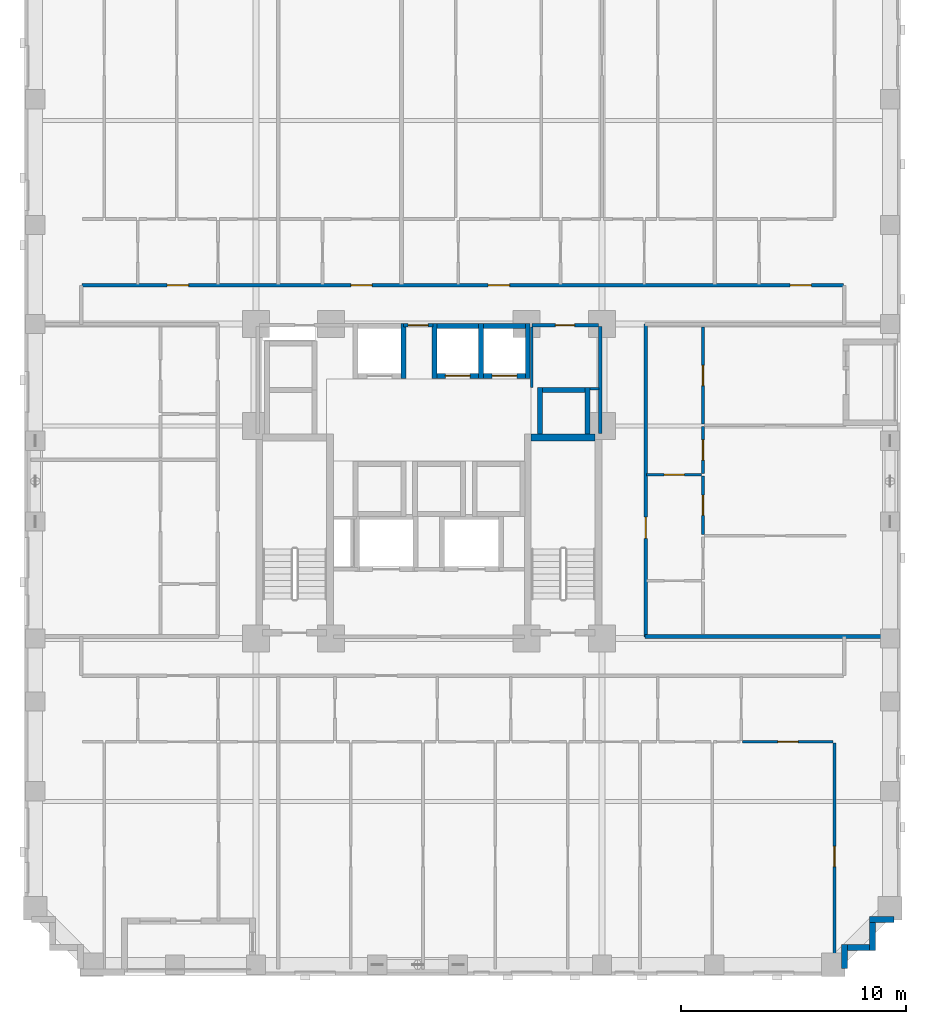
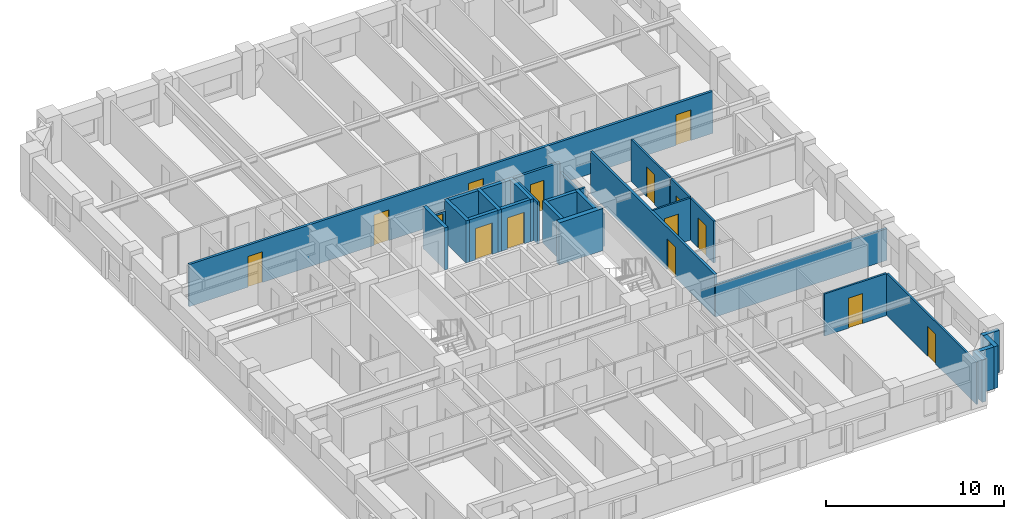
# One storey, part 6 of 14: 30 walls, 15 doors, 15 openings.
"""IFC4 building model written with IfcOpenShell, lengths in metres."""

from ifc_helpers import new_model, si_unit, derived_unit, direction, frame, frame_2d, origin, place, context, subcontext, project, spatial, rectangle, extrude, material, layer, layer_set, type_object, element, fill, save


model = new_model("IFC4")

# Units and contexts
model_context = context("Model", 3, precision=1e-05, world=origin(), true_north=direction((0.0, 1.0)))
body_context = subcontext(model_context, "Body", "Model", "MODEL_VIEW")
ifc_project = project(units=[si_unit("LENGTHUNIT", "METRE"), si_unit("AREAUNIT", "SQUARE_METRE"), si_unit("VOLUMEUNIT", "CUBIC_METRE"), si_unit("PLANEANGLEUNIT", "RADIAN"), si_unit("MASSUNIT", "GRAM", prefix="KILO"), derived_unit("THERMALTRANSMITTANCEUNIT", [(si_unit("MASSUNIT", "GRAM", prefix="KILO"), 1), (si_unit("TIMEUNIT", "SECOND"), -3), (si_unit("THERMODYNAMICTEMPERATUREUNIT", "KELVIN"), -1)])], contexts=[model_context])

# Site, building, storey
site_placement = place(None, origin())
site = spatial("IfcSite", under=ifc_project, at=site_placement, CompositionType="ELEMENT")
building_placement = place(site_placement, origin())
building = spatial("IfcBuilding", under=site, at=building_placement, Name="Korrvale Station Residences", CompositionType="ELEMENT")
storey_placement = place(building_placement, frame((0.0, 0.0, 67.39990234375)))
storey = spatial("IfcBuildingStorey", under=building, at=storey_placement, Name="L18", CompositionType="ELEMENT", Elevation=67.39990234375)

# Walls
ifc_material_1 = material(Name="Concrete C70/85", Category="concrete")
ifc_layer_1 = layer(ifc_material_1, 0.300048828125, Name="Concrete C70/85")
ifc_layer_set_1 = layer_set([ifc_layer_1], Name="Concrete C70/85")
wall_type_1 = type_object("IfcWallType", Name="WAL-CORE-300-C70", PredefinedType="SHEAR", material=ifc_layer_set_1)
wall_1_placement = place(storey_placement, frame((30.050048828125, 23.949951171875, 0.0), z_axis=(0.0, 0.0, 1.0), x_axis=(1.0, 0.0, 0.0)))
element("IfcWall", 1, at=wall_1_placement, inside=storey, type_object=wall_type_1, Name="L18 ST-2 Core Shear Wall North", PredefinedType="SHEAR", context=body_context, shape_type="SweptSolid", body=[
    extrude(rectangle(XDim=2.849853515625, YDim=0.300048828125, at=frame_2d((1.4248046875, 0.0))), origin(), (0.0, 0.0, 1.0), 2.880126953125),
])
ifc_material_2 = material(Name="Precast concrete C45/55", Category="concrete")
ifc_layer_2 = layer(ifc_material_2, 0.260009765625, Name="Precast concrete C45/55")
ifc_layer_set_2 = layer_set([ifc_layer_2], Name="Precast concrete C45/55")
wall_type_2 = type_object("IfcWallType", Name="WAL-EXT-LOG260", PredefinedType="SOLIDWALL", material=ifc_layer_set_2)
wall_2_placement = place(storey_placement, frame((46.197998046875, 2.5, 0.0), z_axis=(0.0, 0.0, 1.0), x_axis=(-1.0, 0.0, 0.0)))
element("IfcWall", 2, at=wall_2_placement, inside=storey, type_object=wall_type_2, Name="L18 Serrated Corner Precast Step SE-1", PredefinedType="SOLIDWALL", context=body_context, shape_type="SweptSolid", body=[
    extrude(rectangle(XDim=1.077880859375, YDim=0.260009765625, at=frame_2d((0.5390625, 0.0))), origin(), (0.0, 0.0, 1.0), 2.880126953125),
])
wall_3_placement = place(storey_placement, frame((45.25, 2.367919921875, 0.0), z_axis=(0.0, 0.0, 1.0), x_axis=(0.0, -1.0, 0.0)))
element("IfcWall", 3, at=wall_3_placement, inside=storey, type_object=wall_type_2, Name="L18 Serrated Corner Precast Step SE-2", PredefinedType="SOLIDWALL", context=body_context, shape_type="SweptSolid", body=[
    extrude(rectangle(XDim=1.247802734375, YDim=0.260009765625, at=frame_2d((0.6240234375, 0.0))), origin(), (0.0, 0.0, 1.0), 2.880126953125),
])
wall_4_placement = place(storey_placement, frame((45.117919921875, 1.25, 0.0), z_axis=(0.0, 0.0, 1.0), x_axis=(-1.0, 0.0, 0.0)))
element("IfcWall", 4, at=wall_4_placement, inside=storey, type_object=wall_type_2, Name="L18 Serrated Corner Precast Step SE-3", PredefinedType="SOLIDWALL", context=body_context, shape_type="SweptSolid", body=[
    extrude(rectangle(XDim=0.98583984375, YDim=0.260009765625, at=frame_2d((0.492919921875, 0.0))), origin(), (0.0, 0.0, 1.0), 2.880126953125),
])
wall_5_placement = place(storey_placement, frame((44.0, 1.3798828125, 0.0), z_axis=(0.0, 0.0, 1.0), x_axis=(0.0, -1.0, 0.0)))
element("IfcWall", 5, at=wall_5_placement, inside=storey, type_object=wall_type_2, Name="L18 Serrated Corner Precast Step SE-4", PredefinedType="SOLIDWALL", context=body_context, shape_type="SweptSolid", body=[
    extrude(rectangle(XDim=1.077880859375, YDim=0.260009765625, at=frame_2d((0.5390625, 0.0))), origin(), (0.0, 0.0, 1.0), 2.880126953125),
])
ifc_material_3 = material(Name="Acoustic steel-stud gypsum board partition", Category="steel")
ifc_layer_3 = layer(ifc_material_3, 0.1201171875, Name="Acoustic steel-stud gypsum board partition")
ifc_layer_set_3 = layer_set([ifc_layer_3], Name="Acoustic steel-stud gypsum board partition")
wall_type_3 = type_object("IfcWallType", Name="WAL-PART-125", PredefinedType="PARTITIONING", material=ifc_layer_set_3)
wall_6_placement = place(storey_placement, frame((30.080078125, 26.179931640625, 0.0), z_axis=(0.0, 0.0, 1.0), x_axis=(0.0, 1.0, 0.0)))
element("IfcWall", 6, at=wall_6_placement, inside=storey, type_object=wall_type_3, Name="L18 Core Partition CW-CS-W", PredefinedType="PARTITIONING", context=body_context, shape_type="SweptSolid", body=[
    extrude(rectangle(XDim=2.68017578125, YDim=0.1201171875, at=frame_2d((1.340087890625, 0.0))), origin(), (0.0, 0.0, 1.0), 2.880126953125),
])
wall_7_placement = place(storey_placement, frame((32.679931640625, 26.1201171875, 0.0), z_axis=(0.0, 0.0, 1.0), x_axis=(1.0, 0.0, 0.0)))
element("IfcWall", 7, at=wall_7_placement, inside=storey, type_object=wall_type_3, Name="L18 Core Partition CW-CS-S", PredefinedType="PARTITIONING", context=body_context, shape_type="SweptSolid", body=[
    extrude(rectangle(XDim=0.380126953125, YDim=0.1201171875, at=frame_2d((0.18994140625, 0.0))), origin(), (0.0, 0.0, 1.0), 2.880126953125),
])

# Wall, opening, door
wall_8_placement = place(storey_placement, frame((39.466064453125, 10.39990234375, 0.0), z_axis=(0.0, 0.0, 1.0), x_axis=(1.0, 0.0, 0.0)))
wall_8 = element("IfcWall", 8, at=wall_8_placement, inside=storey, type_object=wall_type_3, Name="L18 Suite Partition U02-H613", PredefinedType="PARTITIONING", context=body_context, shape_type="SweptSolid", body=[
    extrude(rectangle(XDim=4.02392578125, YDim=0.1201171875, at=frame_2d((2.011962890625, 0.0))), origin(), (0.0, 0.0, 1.0), 2.880126953125),
])
opening_1_placement = place(wall_8_placement, frame((1.56201171875, 0.0, 0.0)))
opening_1 = element("IfcOpeningElement", 9, at=opening_1_placement, cuts=wall_8, Name="Opening DI-900", PredefinedType="OPENING", context=body_context, shape_type="SweptSolid", body=[
    extrude(rectangle(XDim=0.89990234375, YDim=2.050048828125, at=frame_2d((0.449951171875, 1.02490234375))), frame((0.0, 0.070068359375, 0.0), z_axis=(0.0, -1.0, 0.0), x_axis=(1.0, 0.0, 0.0)), (0.0, 0.0, 1.0), 0.14013671875),
])
ifc_material_4 = material(Name="Painted solid-core timber interior room door", Category="wood")
door_type_1 = type_object("IfcDoorType", Name="DR-INT-900", OperationType="NOTDEFINED", PredefinedType="DOOR", material=ifc_material_4)
door_1_placement = place(opening_1_placement, origin())
door_1 = element("IfcDoor", 10, at=door_1_placement, inside=storey, type_object=door_type_1, Name="L18 Studio Apartment L18-U02 Storage Closet 3 Door", OperationType="SINGLE_SWING_LEFT", OverallHeight=2.050048828125, OverallWidth=0.89990234375, PredefinedType="DOOR", context=body_context, shape_type="SweptSolid", body=[
    extrude(rectangle(XDim=0.89990234375, YDim=2.050048828125, at=frame_2d((0.449951171875, 1.02490234375))), frame((0.0, 0.02490234375, 0.0), z_axis=(0.0, -1.0, 0.0), x_axis=(1.0, 0.0, 0.0)), (0.0, 0.0, 1.0), 0.050048828125),
])
fill(opening_1, door_1)

wall_9_placement = place(storey_placement, frame((43.550048828125, 0.280029296875, 0.0), z_axis=(0.0, 0.0, 1.0), x_axis=(0.0, 1.0, 0.0)))
wall_9 = element("IfcWall", 11, at=wall_9_placement, inside=storey, type_object=wall_type_3, Name="L18 Suite Partition U02-V1314", PredefinedType="PARTITIONING", context=body_context, shape_type="SweptSolid", body=[
    extrude(rectangle(XDim=10.06005859375, YDim=0.1201171875, at=frame_2d((5.030029296875, 0.0))), origin(), (0.0, 0.0, 1.0), 2.880126953125),
])
opening_2_placement = place(wall_9_placement, frame((4.56494140625, 0.0, 0.0)))
opening_2 = element("IfcOpeningElement", 12, at=opening_2_placement, cuts=wall_9, Name="Opening DI-900", PredefinedType="OPENING", context=body_context, shape_type="SweptSolid", body=[
    extrude(rectangle(XDim=0.89990234375, YDim=2.050048828125, at=frame_2d((0.449951171875, 1.02490234375))), frame((0.0, 0.070068359375, 0.0), z_axis=(0.0, -1.0, 0.0), x_axis=(1.0, 0.0, 0.0)), (0.0, 0.0, 1.0), 0.14013671875),
])
door_2_placement = place(opening_2_placement, origin())
door_2 = element("IfcDoor", 13, at=door_2_placement, inside=storey, type_object=door_type_1, Name="L18 Studio Apartment L18-U02 Studio Living Room Door", OperationType="SINGLE_SWING_RIGHT", OverallHeight=2.050048828125, OverallWidth=0.89990234375, PredefinedType="DOOR", context=body_context, shape_type="SweptSolid", body=[
    extrude(rectangle(XDim=0.89990234375, YDim=2.050048828125, at=frame_2d((0.449951171875, 1.02490234375))), frame((0.0, 0.02490234375, 0.0), z_axis=(0.0, -1.0, 0.0), x_axis=(1.0, 0.0, 0.0)), (0.0, 0.0, 1.0), 0.050048828125),
])
fill(opening_2, door_2)

wall_10_placement = place(storey_placement, frame((35.18994140625, 22.2900390625, 0.0), z_axis=(0.0, 0.0, 1.0), x_axis=(1.0, 0.0, 0.0)))
wall_10 = element("IfcWall", 14, at=wall_10_placement, inside=storey, type_object=wall_type_3, Name="L18 Suite Partition U09-H02", PredefinedType="PARTITIONING", context=body_context, shape_type="SweptSolid", body=[
    extrude(rectangle(XDim=2.449951171875, YDim=0.1201171875, at=frame_2d((1.22509765625, 0.0))), origin(), (0.0, 0.0, 1.0), 2.880126953125),
])
opening_3_placement = place(wall_10_placement, frame((0.77490234375, 0.0, 0.0)))
opening_3 = element("IfcOpeningElement", 15, at=opening_3_placement, cuts=wall_10, Name="Opening DI-900", PredefinedType="OPENING", context=body_context, shape_type="SweptSolid", body=[
    extrude(rectangle(XDim=0.89990234375, YDim=2.050048828125, at=frame_2d((0.449951171875, 1.02490234375))), frame((0.0, 0.070068359375, 0.0), z_axis=(0.0, -1.0, 0.0), x_axis=(1.0, 0.0, 0.0)), (0.0, 0.0, 1.0), 0.14013671875),
])
door_3_placement = place(opening_3_placement, origin())
door_3 = element("IfcDoor", 16, at=door_3_placement, inside=storey, type_object=door_type_1, Name="L18 Apartment 2BR L18-U09 Wardrobe Storage Room Door", OperationType="SINGLE_SWING_RIGHT", OverallHeight=2.050048828125, OverallWidth=0.89990234375, PredefinedType="DOOR", context=body_context, shape_type="SweptSolid", body=[
    extrude(rectangle(XDim=0.89990234375, YDim=2.050048828125, at=frame_2d((0.449951171875, 1.02490234375))), frame((0.0, 0.02490234375, 0.0), z_axis=(0.0, -1.0, 0.0), x_axis=(1.0, 0.0, 0.0)), (0.0, 0.0, 1.0), 0.050048828125),
])
fill(opening_3, door_3)

wall_11_placement = place(storey_placement, frame((37.699951171875, 22.35009765625, 0.0), z_axis=(0.0, 0.0, 1.0), x_axis=(0.0, 1.0, 0.0)))
wall_11 = element("IfcWall", 17, at=wall_11_placement, inside=storey, type_object=wall_type_3, Name="L18 Suite Partition U09-V04", PredefinedType="PARTITIONING", context=body_context, shape_type="SweptSolid", body=[
    extrude(rectangle(XDim=2.081787109375, YDim=0.1201171875, at=frame_2d((1.041015625, 0.0))), origin(), (0.0, 0.0, 1.0), 2.880126953125),
])
opening_4_placement = place(wall_11_placement, frame((0.591064453125, 0.0, 0.0)))
opening_4 = element("IfcOpeningElement", 18, at=opening_4_placement, cuts=wall_11, Name="Opening DI-900", PredefinedType="OPENING", context=body_context, shape_type="SweptSolid", body=[
    extrude(rectangle(XDim=0.89990234375, YDim=2.050048828125, at=frame_2d((0.449951171875, 1.02490234375))), frame((0.0, 0.070068359375, 0.0), z_axis=(0.0, -1.0, 0.0), x_axis=(1.0, 0.0, 0.0)), (0.0, 0.0, 1.0), 0.14013671875),
])
door_4_placement = place(opening_4_placement, origin())
door_4 = element("IfcDoor", 19, at=door_4_placement, inside=storey, type_object=door_type_1, Name="L18 Apartment 2BR L18-U09 Wardrobe Storage Room Door", OperationType="SINGLE_SWING_LEFT", OverallHeight=2.050048828125, OverallWidth=0.89990234375, PredefinedType="DOOR", context=body_context, shape_type="SweptSolid", body=[
    extrude(rectangle(XDim=0.89990234375, YDim=2.050048828125, at=frame_2d((0.449951171875, 1.02490234375))), frame((0.0, 0.02490234375, 0.0), z_axis=(0.0, -1.0, 0.0), x_axis=(1.0, 0.0, 0.0)), (0.0, 0.0, 1.0), 0.050048828125),
])
fill(opening_4, door_4)

wall_12_placement = place(storey_placement, frame((37.699951171875, 24.552001953125, 0.0), z_axis=(0.0, 0.0, 1.0), x_axis=(0.0, 1.0, 0.0)))
wall_12 = element("IfcWall", 20, at=wall_12_placement, inside=storey, type_object=wall_type_3, Name="L18 Suite Partition U09-V05", PredefinedType="PARTITIONING", context=body_context, shape_type="SweptSolid", body=[
    extrude(rectangle(XDim=4.30810546875, YDim=0.1201171875, at=frame_2d((2.154052734375, 0.0))), origin(), (0.0, 0.0, 1.0), 2.880126953125),
])
opening_5_placement = place(wall_12_placement, frame((1.7041015625, 0.0, 0.0)))
opening_5 = element("IfcOpeningElement", 21, at=opening_5_placement, cuts=wall_12, Name="Opening DI-900", PredefinedType="OPENING", context=body_context, shape_type="SweptSolid", body=[
    extrude(rectangle(XDim=0.89990234375, YDim=2.050048828125, at=frame_2d((0.449951171875, 1.02490234375))), frame((0.0, 0.070068359375, 0.0), z_axis=(0.0, -1.0, 0.0), x_axis=(1.0, 0.0, 0.0)), (0.0, 0.0, 1.0), 0.14013671875),
])
door_5_placement = place(opening_5_placement, origin())
door_5 = element("IfcDoor", 22, at=door_5_placement, inside=storey, type_object=door_type_1, Name="L18 Apartment 2BR L18-U09 Wardrobe Storage Room Door", OperationType="SINGLE_SWING_RIGHT", OverallHeight=2.050048828125, OverallWidth=0.89990234375, PredefinedType="DOOR", context=body_context, shape_type="SweptSolid", body=[
    extrude(rectangle(XDim=0.89990234375, YDim=2.050048828125, at=frame_2d((0.449951171875, 1.02490234375))), frame((0.0, 0.02490234375, 0.0), z_axis=(0.0, -1.0, 0.0), x_axis=(1.0, 0.0, 0.0)), (0.0, 0.0, 1.0), 0.050048828125),
])
fill(opening_5, door_5)

wall_13_placement = place(storey_placement, frame((37.699951171875, 19.637939453125, 0.0), z_axis=(0.0, 0.0, 1.0), x_axis=(0.0, 1.0, 0.0)))
wall_13 = element("IfcWall", 23, at=wall_13_placement, inside=storey, type_object=wall_type_3, Name="L18 Suite Partition U09-V24", PredefinedType="PARTITIONING", context=body_context, shape_type="SweptSolid", body=[
    extrude(rectangle(XDim=2.592041015625, YDim=0.1201171875, at=frame_2d((1.2958984375, 0.0))), origin(), (0.0, 0.0, 1.0), 2.880126953125),
])
opening_6_placement = place(wall_13_placement, frame((0.845947265625, 0.0, 0.0)))
opening_6 = element("IfcOpeningElement", 24, at=opening_6_placement, cuts=wall_13, Name="Opening DI-900", PredefinedType="OPENING", context=body_context, shape_type="SweptSolid", body=[
    extrude(rectangle(XDim=0.89990234375, YDim=2.050048828125, at=frame_2d((0.449951171875, 1.02490234375))), frame((0.0, 0.070068359375, 0.0), z_axis=(0.0, -1.0, 0.0), x_axis=(1.0, 0.0, 0.0)), (0.0, 0.0, 1.0), 0.14013671875),
])
door_6_placement = place(opening_6_placement, origin())
door_6 = element("IfcDoor", 25, at=door_6_placement, inside=storey, type_object=door_type_1, Name="L18 Apartment 2BR L18-U09 Kitchen Door", OperationType="SINGLE_SWING_LEFT", OverallHeight=2.050048828125, OverallWidth=0.89990234375, PredefinedType="DOOR", context=body_context, shape_type="SweptSolid", body=[
    extrude(rectangle(XDim=0.89990234375, YDim=2.050048828125, at=frame_2d((0.449951171875, 1.02490234375))), frame((0.0, 0.02490234375, 0.0), z_axis=(0.0, -1.0, 0.0), x_axis=(1.0, 0.0, 0.0)), (0.0, 0.0, 1.0), 0.050048828125),
])
fill(opening_6, door_6)

# Wall
ifc_material_5 = material(Name="Fire-rated twin-stud gypsum and mineral wool shaftwall assembly", Category="gypsum")
ifc_layer_4 = layer(ifc_material_5, 0.159912109375, Name="Fire-rated twin-stud gypsum and mineral wool shaftwall assembly")
ifc_layer_set_4 = layer_set([ifc_layer_4], Name="Fire-rated twin-stud gypsum and mineral wool shaftwall assembly")
wall_type_4 = type_object("IfcWallType", Name="WAL-PART-200", PredefinedType="PARTITIONING", material=ifc_layer_set_4)
wall_14_placement = place(storey_placement, frame((33.1201171875, 24.1201171875, 0.0), z_axis=(0.0, 0.0, 1.0), x_axis=(0.0, 1.0, 0.0)))
element("IfcWall", 26, at=wall_14_placement, inside=storey, type_object=wall_type_4, Name="L18 Core Partition CW-E-N", PredefinedType="PARTITIONING", context=body_context, shape_type="SweptSolid", body=[
    extrude(rectangle(XDim=4.759765625, YDim=0.159912109375, at=frame_2d((2.3798828125, 0.0))), origin(), (0.0, 0.0, 1.0), 2.215087890625),
])

# Wall, opening, door
wall_15_placement = place(storey_placement, frame((24.360107421875, 28.949951171875, 0.0), z_axis=(0.0, 0.0, 1.0), x_axis=(1.0, 0.0, 0.0)))
wall_15 = element("IfcWall", 27, at=wall_15_placement, inside=storey, type_object=wall_type_4, Name="L18 Core Partition CW-LLOB-N", PredefinedType="PARTITIONING", context=body_context, shape_type="SweptSolid", body=[
    extrude(rectangle(XDim=1.31982421875, YDim=0.159912109375, at=frame_2d((0.659912109375, 0.0))), origin(), (0.0, 0.0, 1.0), 2.172119140625),
])
opening_7_placement = place(wall_15_placement, frame((0.2099609375, 0.0, 0.0)))
opening_7 = element("IfcOpeningElement", 28, at=opening_7_placement, cuts=wall_15, Name="Opening DI-900", PredefinedType="OPENING", context=body_context, shape_type="SweptSolid", body=[
    extrude(rectangle(XDim=0.89990234375, YDim=2.050048828125, at=frame_2d((0.449951171875, 1.02490234375))), frame((0.0, 0.08984375, 0.0), z_axis=(0.0, -1.0, 0.0), x_axis=(1.0, 0.0, 0.0)), (0.0, 0.0, 1.0), 0.179931640625),
])
door_7_placement = place(opening_7_placement, origin())
door_7 = element("IfcDoor", 29, at=door_7_placement, inside=storey, type_object=door_type_1, Name="L18 Central Hallway North Passage Door", OperationType="SINGLE_SWING_RIGHT", OverallHeight=2.050048828125, OverallWidth=0.89990234375, PredefinedType="DOOR", context=body_context, shape_type="SweptSolid", body=[
    extrude(rectangle(XDim=0.89990234375, YDim=2.050048828125, at=frame_2d((0.449951171875, 1.02490234375))), frame((0.0, 0.02490234375, 0.0), z_axis=(0.0, -1.0, 0.0), x_axis=(1.0, 0.0, 0.0)), (0.0, 0.0, 1.0), 0.050048828125),
])
fill(opening_7, door_7)

wall_16_placement = place(storey_placement, frame((30.080078125, 28.949951171875, 0.0), z_axis=(0.0, 0.0, 1.0), x_axis=(1.0, 0.0, 0.0)))
wall_16 = element("IfcWall", 30, at=wall_16_placement, inside=storey, type_object=wall_type_4, Name="L18 Core Partition CW-CS-N", PredefinedType="PARTITIONING", context=body_context, shape_type="SweptSolid", body=[
    extrude(rectangle(XDim=2.9599609375, YDim=0.159912109375, at=frame_2d((1.47998046875, 0.0))), origin(), (0.0, 0.0, 1.0), 2.880126953125),
])
opening_8_placement = place(wall_16_placement, frame((1.044921875, 0.0, 0.0)))
opening_8 = element("IfcOpeningElement", 31, at=opening_8_placement, cuts=wall_16, Name="Opening DB-860", PredefinedType="OPENING", context=body_context, shape_type="SweptSolid", body=[
    extrude(rectangle(XDim=0.860107421875, YDim=2.050048828125, at=frame_2d((0.43017578125, 1.02490234375))), frame((0.0, 0.08984375, 0.0), z_axis=(0.0, -1.0, 0.0), x_axis=(1.0, 0.0, 0.0)), (0.0, 0.0, 1.0), 0.179931640625),
])
ifc_material_6 = material(Name="Moisture-resistant solid-core bathroom door", Category="timber")
door_type_2 = type_object("IfcDoorType", Name="DR-BATH-860", OperationType="NOTDEFINED", PredefinedType="DOOR", material=ifc_material_6)
door_8_placement = place(opening_8_placement, origin())
door_8 = element("IfcDoor", 32, at=door_8_placement, inside=storey, type_object=door_type_2, Name="L18 Parcel Room Door", OperationType="SINGLE_SWING_RIGHT", OverallHeight=2.050048828125, OverallWidth=0.860107421875, PredefinedType="DOOR", context=body_context, shape_type="SweptSolid", body=[
    extrude(rectangle(XDim=0.860107421875, YDim=2.050048828125, at=frame_2d((0.43017578125, 1.02490234375))), frame((0.0, 0.02490234375, 0.0), z_axis=(0.0, -1.0, 0.0), x_axis=(1.0, 0.0, 0.0)), (0.0, 0.0, 1.0), 0.050048828125),
])
fill(opening_8, door_8)

# Wall
wall_17_placement = place(storey_placement, frame((35.110107421875, 15.090087890625, 0.0), z_axis=(0.0, 0.0, 1.0), x_axis=(1.0, 0.0, 0.0)))
element("IfcWall", 33, at=wall_17_placement, inside=storey, type_object=wall_type_4, Name="L18 East Wing South Corridor Wall", PredefinedType="PARTITIONING", context=body_context, shape_type="SweptSolid", body=[
    extrude(rectangle(XDim=11.10986328125, YDim=0.159912109375, at=frame_2d((5.554931640625, 0.0))), origin(), (0.0, 0.0, 1.0), 2.172119140625),
])

# Wall, openings, doors
wall_18_placement = place(storey_placement, frame((10.050048828125, 30.719970703125, 0.0), z_axis=(0.0, 0.0, 1.0), x_axis=(1.0, 0.0, 0.0)))
wall_18 = element("IfcWall", 34, at=wall_18_placement, inside=storey, type_object=wall_type_4, Name="L18 Rated Corridor Wall N", PredefinedType="PARTITIONING", context=body_context, shape_type="SweptSolid", body=[
    extrude(rectangle(XDim=33.89990234375, YDim=0.159912109375, at=frame_2d((16.949951171875, 0.0))), origin(), (0.0, 0.0, 1.0), 2.880126953125),
])
opening_9_placement = place(wall_18_placement, frame((3.800048828125, 0.0, 0.0)))
opening_9 = element("IfcOpeningElement", 35, at=opening_9_placement, cuts=wall_18, Name="Opening UD-950", PredefinedType="OPENING", context=body_context, shape_type="SweptSolid", body=[
    extrude(rectangle(XDim=0.949951171875, YDim=2.10009765625, at=frame_2d((0.47509765625, 1.050048828125))), frame((0.0, 0.08984375, 0.0), z_axis=(0.0, -1.0, 0.0), x_axis=(1.0, 0.0, 0.0)), (0.0, 0.0, 1.0), 0.179931640625),
])
opening_10_placement = place(wall_18_placement, frame((11.97705078125, 0.0, 0.0)))
opening_10 = element("IfcOpeningElement", 36, at=opening_10_placement, cuts=wall_18, Name="Opening UD-950", PredefinedType="OPENING", context=body_context, shape_type="SweptSolid", body=[
    extrude(rectangle(XDim=0.949951171875, YDim=2.10009765625, at=frame_2d((0.47509765625, 1.050048828125))), frame((0.0, 0.08984375, 0.0), z_axis=(0.0, -1.0, 0.0), x_axis=(1.0, 0.0, 0.0)), (0.0, 0.0, 1.0), 0.179931640625),
])
opening_11_placement = place(wall_18_placement, frame((18.090087890625, 0.0, 0.0)))
opening_11 = element("IfcOpeningElement", 37, at=opening_11_placement, cuts=wall_18, Name="Opening UD-950", PredefinedType="OPENING", context=body_context, shape_type="SweptSolid", body=[
    extrude(rectangle(XDim=0.949951171875, YDim=2.10009765625, at=frame_2d((0.47509765625, 1.050048828125))), frame((0.0, 0.08984375, 0.0), z_axis=(0.0, -1.0, 0.0), x_axis=(1.0, 0.0, 0.0)), (0.0, 0.0, 1.0), 0.179931640625),
])
opening_12_placement = place(wall_18_placement, frame((31.52490234375, 0.0, 0.0)))
opening_12 = element("IfcOpeningElement", 38, at=opening_12_placement, cuts=wall_18, Name="Opening UD-950", PredefinedType="OPENING", context=body_context, shape_type="SweptSolid", body=[
    extrude(rectangle(XDim=0.949951171875, YDim=2.10009765625, at=frame_2d((0.47509765625, 1.050048828125))), frame((0.0, 0.08984375, 0.0), z_axis=(0.0, -1.0, 0.0), x_axis=(1.0, 0.0, 0.0)), (0.0, 0.0, 1.0), 0.179931640625),
])
ifc_material_7 = material(Name="Solid-core acoustic oak apartment entrance door", Category="timber")
door_type_3 = type_object("IfcDoorType", Name="DR-UNIT-950", OperationType="NOTDEFINED", PredefinedType="DOOR", material=ifc_material_7)
door_9_placement = place(opening_9_placement, origin())
door_9 = element("IfcDoor", 39, at=door_9_placement, inside=storey, type_object=door_type_3, Name="L18 Apartment L18-U03 Entrance Door", OperationType="SINGLE_SWING_RIGHT", OverallHeight=2.10009765625, OverallWidth=0.949951171875, PredefinedType="DOOR", context=body_context, shape_type="SweptSolid", body=[
    extrude(rectangle(XDim=0.949951171875, YDim=2.10009765625, at=frame_2d((0.47509765625, 1.050048828125))), frame((0.0, 0.02490234375, 0.0), z_axis=(0.0, -1.0, 0.0), x_axis=(1.0, 0.0, 0.0)), (0.0, 0.0, 1.0), 0.050048828125),
])
fill(opening_9, door_9)
door_10_placement = place(opening_10_placement, origin())
door_10 = element("IfcDoor", 40, at=door_10_placement, inside=storey, type_object=door_type_3, Name="L18 Apartment L18-U04 Entrance Door", OperationType="SINGLE_SWING_LEFT", OverallHeight=2.10009765625, OverallWidth=0.949951171875, PredefinedType="DOOR", context=body_context, shape_type="SweptSolid", body=[
    extrude(rectangle(XDim=0.949951171875, YDim=2.10009765625, at=frame_2d((0.47509765625, 1.050048828125))), frame((0.0, 0.02490234375, 0.0), z_axis=(0.0, -1.0, 0.0), x_axis=(1.0, 0.0, 0.0)), (0.0, 0.0, 1.0), 0.050048828125),
])
fill(opening_10, door_10)
door_11_placement = place(opening_11_placement, origin())
door_11 = element("IfcDoor", 41, at=door_11_placement, inside=storey, type_object=door_type_3, Name="L18 Apartment L18-U05 Entrance Door", OperationType="SINGLE_SWING_RIGHT", OverallHeight=2.10009765625, OverallWidth=0.949951171875, PredefinedType="DOOR", context=body_context, shape_type="SweptSolid", body=[
    extrude(rectangle(XDim=0.949951171875, YDim=2.10009765625, at=frame_2d((0.47509765625, 1.050048828125))), frame((0.0, 0.02490234375, 0.0), z_axis=(0.0, -1.0, 0.0), x_axis=(1.0, 0.0, 0.0)), (0.0, 0.0, 1.0), 0.050048828125),
])
fill(opening_11, door_11)
door_12_placement = place(opening_12_placement, origin())
door_12 = element("IfcDoor", 42, at=door_12_placement, inside=storey, type_object=door_type_3, Name="L18 Apartment L18-U06 Entrance Door", OperationType="SINGLE_SWING_LEFT", OverallHeight=2.10009765625, OverallWidth=0.949951171875, PredefinedType="DOOR", context=body_context, shape_type="SweptSolid", body=[
    extrude(rectangle(XDim=0.949951171875, YDim=2.10009765625, at=frame_2d((0.47509765625, 1.050048828125))), frame((0.0, 0.02490234375, 0.0), z_axis=(0.0, -1.0, 0.0), x_axis=(1.0, 0.0, 0.0)), (0.0, 0.0, 1.0), 0.050048828125),
])
fill(opening_12, door_12)

# Wall, opening, door
wall_19_placement = place(storey_placement, frame((35.14990234375, 15.070068359375, 0.0), z_axis=(0.0, 0.0, 1.0), x_axis=(0.0, 1.0, 0.0)))
wall_19 = element("IfcWall", 43, at=wall_19_placement, inside=storey, type_object=wall_type_4, Name="L18 Rated Corridor Wall E", PredefinedType="PARTITIONING", context=body_context, shape_type="SweptSolid", body=[
    extrude(rectangle(XDim=13.929931640625, YDim=0.159912109375, at=frame_2d((6.96484375, 0.0))), origin(), (0.0, 0.0, 1.0), 2.880126953125),
])
opening_13_placement = place(wall_19_placement, frame((4.385009765625, 0.0, 0.0)))
opening_13 = element("IfcOpeningElement", 44, at=opening_13_placement, cuts=wall_19, Name="Opening UD-950", PredefinedType="OPENING", context=body_context, shape_type="SweptSolid", body=[
    extrude(rectangle(XDim=0.949951171875, YDim=2.10009765625, at=frame_2d((0.47509765625, 1.050048828125))), frame((0.0, 0.08984375, 0.0), z_axis=(0.0, -1.0, 0.0), x_axis=(1.0, 0.0, 0.0)), (0.0, 0.0, 1.0), 0.179931640625),
])
door_13_placement = place(opening_13_placement, origin())
door_13 = element("IfcDoor", 45, at=door_13_placement, inside=storey, type_object=door_type_3, Name="L18 Apartment L18-U09 Entrance Door", OperationType="SINGLE_SWING_RIGHT", OverallHeight=2.10009765625, OverallWidth=0.949951171875, PredefinedType="DOOR", context=body_context, shape_type="SweptSolid", body=[
    extrude(rectangle(XDim=0.949951171875, YDim=2.10009765625, at=frame_2d((0.47509765625, 1.050048828125))), frame((0.0, 0.02490234375, 0.0), z_axis=(0.0, -1.0, 0.0), x_axis=(1.0, 0.0, 0.0)), (0.0, 0.0, 1.0), 0.050048828125),
])
fill(opening_13, door_13)

# Wall
ifc_layer_5 = layer(ifc_material_1, 0.219970703125, Name="Concrete C70/85")
ifc_layer_set_5 = layer_set([ifc_layer_5], Name="Concrete C70/85")
wall_type_5 = type_object("IfcWallType", Name="WAL-SHAFT-220-C70", PredefinedType="SHEAR", material=ifc_layer_set_5)
wall_20_placement = place(storey_placement, frame((24.360107421875, 26.580078125, 0.0), z_axis=(0.0, 0.0, 1.0), x_axis=(0.0, 1.0, 0.0)))
element("IfcWall", 46, at=wall_20_placement, inside=storey, type_object=wall_type_5, Name="L18 Elevator PL-1 Hoistway Wall East", PredefinedType="SHEAR", context=body_context, shape_type="SweptSolid", body=[
    extrude(rectangle(XDim=2.43994140625, YDim=0.219970703125, at=frame_2d((1.219970703125, 0.0))), origin(), (0.0, 0.0, 1.0), 2.880126953125),
])

# Wall, opening, door
wall_21_placement = place(storey_placement, frame((25.85009765625, 26.68994140625, 0.0), z_axis=(0.0, 0.0, 1.0), x_axis=(1.0, 0.0, 0.0)))
wall_21 = element("IfcWall", 47, at=wall_21_placement, inside=storey, type_object=wall_type_5, Name="L18 Elevator PL-2 Hoistway Wall South", PredefinedType="SHEAR", context=body_context, shape_type="SweptSolid", body=[
    extrude(rectangle(XDim=1.85986328125, YDim=0.219970703125, at=frame_2d((0.929931640625, 0.0))), origin(), (0.0, 0.0, 1.0), 2.880126953125),
])
opening_14_placement = place(wall_21_placement, frame((0.3798828125, 0.0, 0.0)))
opening_14 = element("IfcOpeningElement", 48, at=opening_14_placement, cuts=wall_21, Name="Opening LD-1100", PredefinedType="OPENING", context=body_context, shape_type="SweptSolid", body=[
    extrude(rectangle(XDim=1.10009765625, YDim=2.14990234375, at=frame_2d((0.550048828125, 1.074951171875))), frame((0.0, 0.1201171875, 0.0), z_axis=(0.0, -1.0, 0.0), x_axis=(1.0, 0.0, 0.0)), (0.0, 0.0, 1.0), 0.239990234375),
])
ifc_material_8 = material(Name="Brushed stainless-steel elevator landing sliding door", Category="steel")
door_type_4 = type_object("IfcDoorType", Name="DR-LIFT-1100", OperationType="SLIDING_TO_LEFT", PredefinedType="DOOR", material=ifc_material_8)
door_14_placement = place(opening_14_placement, origin())
door_14 = element("IfcDoor", 49, at=door_14_placement, inside=storey, type_object=door_type_4, Name="L18 Elevator PL-2 Sliding Landing Door", OperationType="SLIDING_TO_LEFT", OverallHeight=2.14990234375, OverallWidth=1.10009765625, PredefinedType="DOOR", context=body_context, shape_type="SweptSolid", body=[
    extrude(rectangle(XDim=1.10009765625, YDim=2.14990234375, at=frame_2d((0.550048828125, 1.074951171875))), frame((0.0, 0.02490234375, 0.0), z_axis=(0.0, -1.0, 0.0), x_axis=(1.0, 0.0, 0.0)), (0.0, 0.0, 1.0), 0.050048828125),
])
fill(opening_14, door_14)

# Walls
wall_22_placement = place(storey_placement, frame((25.85009765625, 28.909912109375, 0.0), z_axis=(0.0, 0.0, 1.0), x_axis=(1.0, 0.0, 0.0)))
element("IfcWall", 50, at=wall_22_placement, inside=storey, type_object=wall_type_5, Name="L18 Elevator PL-2 Hoistway Wall North", PredefinedType="SHEAR", context=body_context, shape_type="SweptSolid", body=[
    extrude(rectangle(XDim=1.85986328125, YDim=0.219970703125, at=frame_2d((0.929931640625, 0.0))), origin(), (0.0, 0.0, 1.0), 2.880126953125),
])
for number, where, z_axis, x_axis, name in (
    (51, (25.739990234375, 26.580078125, 0.0), (0.0, 0.0, 1.0), (0.0, 1.0, 0.0), "L18 Elevator PL-2 Hoistway Wall West"),
    (52, (27.820068359375, 26.580078125, 0.0), (0.0, 0.0, 1.0), (0.0, 1.0, 0.0), "L18 Elevator PL-2 Hoistway Wall East"),
):
    element("IfcWall", number, at=place(storey_placement, frame(where, z_axis=z_axis, x_axis=x_axis)), inside=storey, type_object=wall_type_5, Name=name, PredefinedType="SHEAR", context=body_context, shape_type="SweptSolid", body=[
        extrude(rectangle(XDim=2.43994140625, YDim=0.219970703125, at=frame_2d((1.219970703125, 0.0))), origin(), (0.0, 0.0, 1.0), 2.880126953125),
    ])

# Wall, opening, door
wall_23_placement = place(storey_placement, frame((27.929931640625, 26.68994140625, 0.0), z_axis=(0.0, 0.0, 1.0), x_axis=(1.0, 0.0, 0.0)))
wall_23 = element("IfcWall", 53, at=wall_23_placement, inside=storey, type_object=wall_type_5, Name="L18 Elevator PL-3 Hoistway Wall South", PredefinedType="SHEAR", context=body_context, shape_type="SweptSolid", body=[
    extrude(rectangle(XDim=1.860107421875, YDim=0.219970703125, at=frame_2d((0.93017578125, 0.0))), origin(), (0.0, 0.0, 1.0), 2.880126953125),
])
opening_15_placement = place(wall_23_placement, frame((0.3798828125, 0.0, 0.0)))
opening_15 = element("IfcOpeningElement", 54, at=opening_15_placement, cuts=wall_23, Name="Opening LD-1100", PredefinedType="OPENING", context=body_context, shape_type="SweptSolid", body=[
    extrude(rectangle(XDim=1.10009765625, YDim=2.14990234375, at=frame_2d((0.550048828125, 1.074951171875))), frame((0.0, 0.1201171875, 0.0), z_axis=(0.0, -1.0, 0.0), x_axis=(1.0, 0.0, 0.0)), (0.0, 0.0, 1.0), 0.239990234375),
])
door_15_placement = place(opening_15_placement, origin())
door_15 = element("IfcDoor", 55, at=door_15_placement, inside=storey, type_object=door_type_4, Name="L18 Elevator PL-3 Sliding Landing Door", OperationType="SLIDING_TO_LEFT", OverallHeight=2.14990234375, OverallWidth=1.10009765625, PredefinedType="DOOR", context=body_context, shape_type="SweptSolid", body=[
    extrude(rectangle(XDim=1.10009765625, YDim=2.14990234375, at=frame_2d((0.550048828125, 1.074951171875))), frame((0.0, 0.02490234375, 0.0), z_axis=(0.0, -1.0, 0.0), x_axis=(1.0, 0.0, 0.0)), (0.0, 0.0, 1.0), 0.050048828125),
])
fill(opening_15, door_15)

# Walls
wall_24_placement = place(storey_placement, frame((27.929931640625, 28.909912109375, 0.0), z_axis=(0.0, 0.0, 1.0), x_axis=(1.0, 0.0, 0.0)))
element("IfcWall", 56, at=wall_24_placement, inside=storey, type_object=wall_type_5, Name="L18 Elevator PL-3 Hoistway Wall North", PredefinedType="SHEAR", context=body_context, shape_type="SweptSolid", body=[
    extrude(rectangle(XDim=1.860107421875, YDim=0.219970703125, at=frame_2d((0.93017578125, 0.0))), origin(), (0.0, 0.0, 1.0), 2.880126953125),
])
wall_25_placement = place(storey_placement, frame((29.89990234375, 26.580078125, 0.0), z_axis=(0.0, 0.0, 1.0), x_axis=(0.0, 1.0, 0.0)))
element("IfcWall", 57, at=wall_25_placement, inside=storey, type_object=wall_type_5, Name="L18 Elevator PL-3 Hoistway Wall East", PredefinedType="SHEAR", context=body_context, shape_type="SweptSolid", body=[
    extrude(rectangle(XDim=2.43994140625, YDim=0.219970703125, at=frame_2d((1.219970703125, 0.0))), origin(), (0.0, 0.0, 1.0), 2.880126953125),
])
wall_26_placement = place(storey_placement, frame((30.550048828125, 26.06005859375, 0.0), z_axis=(0.0, 0.0, 1.0), x_axis=(1.0, 0.0, 0.0)))
element("IfcWall", 58, at=wall_26_placement, inside=storey, type_object=wall_type_5, Name="L18 Elevator PH-3 Hoistway Wall North", PredefinedType="SHEAR", context=body_context, shape_type="SweptSolid", body=[
    extrude(rectangle(XDim=1.89990234375, YDim=0.219970703125, at=frame_2d((0.949951171875, 0.0))), origin(), (0.0, 0.0, 1.0), 2.880126953125),
])
for number, where, z_axis, x_axis, name in (
    (59, (30.43994140625, 24.10009765625, 0.0), (0.0, 0.0, 1.0), (0.0, 1.0, 0.0), "L18 Elevator PH-3 Hoistway Wall West"),
    (60, (32.56005859375, 24.10009765625, 0.0), (0.0, 0.0, 1.0), (0.0, 1.0, 0.0), "L18 Elevator PH-3 Hoistway Wall East"),
):
    element("IfcWall", number, at=place(storey_placement, frame(where, z_axis=z_axis, x_axis=x_axis)), inside=storey, type_object=wall_type_5, Name=name, PredefinedType="SHEAR", context=body_context, shape_type="SweptSolid", body=[
        extrude(rectangle(XDim=2.06982421875, YDim=0.219970703125, at=frame_2d((1.034912109375, 0.0))), origin(), (0.0, 0.0, 1.0), 2.880126953125),
    ])

save(model, "model.ifc")
